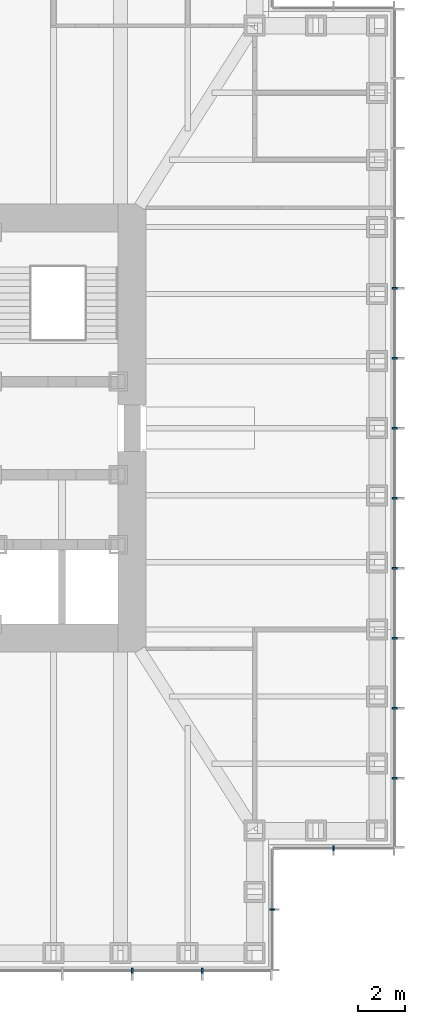
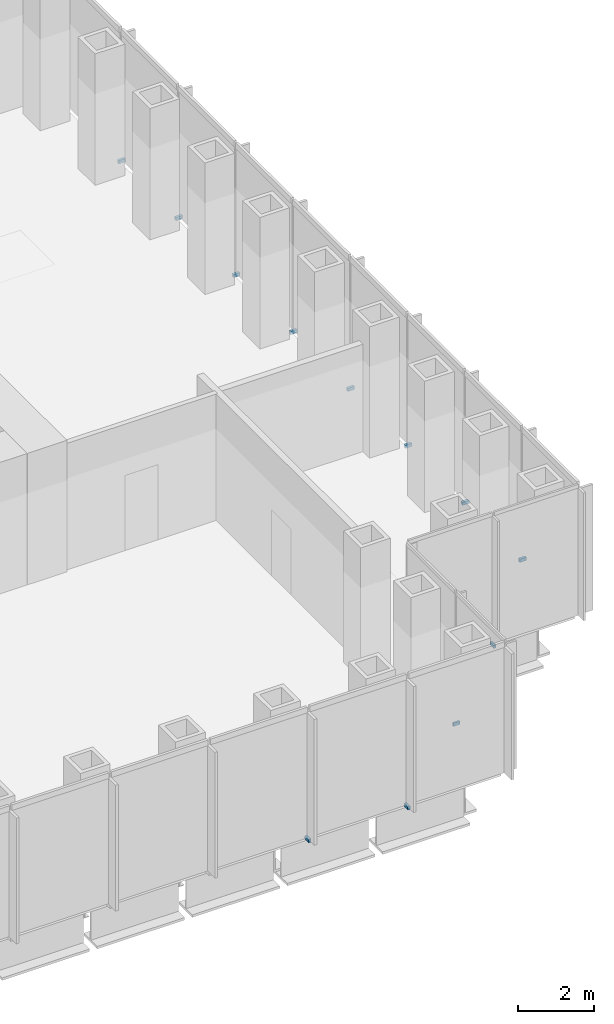
# One storey, part 13 of 16: 12 discrete accessories.
"""IFC4 building model written with IfcOpenShell, lengths in metres."""

from ifc_helpers import new_model, si_unit, direction, frame, origin, origin_2d, place, context, subcontext, project, spatial, rectangle, extrude, element, save


model = new_model("IFC4")

# Units and contexts
model_context = context("Model", 3, precision=1e-05, world=origin(), true_north=direction((0.0, 1.0)))
body_context = subcontext(model_context, "Body", "Model", "MODEL_VIEW")
ifc_project = project(units=[si_unit("LENGTHUNIT", "METRE"), si_unit("AREAUNIT", "SQUARE_METRE"), si_unit("VOLUMEUNIT", "CUBIC_METRE"), si_unit("PLANEANGLEUNIT", "RADIAN"), si_unit("MASSUNIT", "GRAM", prefix="KILO")], contexts=[model_context])

# Site, building, storey
site_placement = place(None, origin())
site = spatial("IfcSite", under=ifc_project, at=site_placement, CompositionType="ELEMENT")
building_placement = place(site_placement, origin())
building = spatial("IfcBuilding", under=site, at=building_placement, Name="Daluyong Arena Tower", CompositionType="ELEMENT")
storey_placement = place(building_placement, frame((0.0, 0.0, 162.699951171875)))
storey = spatial("IfcBuildingStorey", under=building, at=storey_placement, Name="L36", CompositionType="ELEMENT", Elevation=162.699951171875)

# Discrete accessories
for number, where, z_axis, x_axis, name in (
    (1, (68.0, 56.75, -0.10009765625), (0.0, 0.0, 1.0), (1.0, 0.0, 0.0), "curtain wall L36 S anchor bracket 11"),
    (2, (71.0, 56.75, -0.10009765625), (0.0, 0.0, 1.0), (1.0, 0.0, 0.0), "curtain wall L36 S anchor bracket 12"),
):
    element("IfcDiscreteAccessory", number, at=place(storey_placement, frame(where, z_axis=z_axis, x_axis=x_axis)), inside=storey, Name=name, PredefinedType="BRACKET", context=body_context, shape_type="SweptSolid", body=[
        extrude(rectangle(XDim=0.080078125, YDim=0.199951171875, at=origin_2d()), origin(), (0.0, 0.0, 1.0), 0.10009765625),
    ])
for number, where, z_axis, x_axis, name in (
    (3, (74.0, 59.375, -0.10009765625), (0.0, 0.0, 1.0), (0.0, 1.0, 0.0), "curtain wall L36 SE-E anchor bracket 2"),
    (4, (76.625, 62.0, -0.10009765625), (0.0, 0.0, 1.0), (1.0, 0.0, 0.0), "curtain wall L36 SE-S anchor bracket 2"),
):
    element("IfcDiscreteAccessory", number, at=place(storey_placement, frame(where, z_axis=z_axis, x_axis=x_axis)), inside=storey, Name=name, PredefinedType="BRACKET", context=body_context, shape_type="SweptSolid", body=[
        extrude(rectangle(XDim=0.06005859375, YDim=0.199951171875, at=origin_2d()), origin(), (0.0, 0.0, 1.0), 0.10009765625),
    ])
for number, where, z_axis, x_axis, name in (
    (5, (79.25, 65.0, -0.10009765625), (0.0, 0.0, 1.0), (0.0, 1.0, 0.0), "curtain wall L36 E anchor bracket 2"),
    (6, (79.25, 68.0, -0.10009765625), (0.0, 0.0, 1.0), (0.0, 1.0, 0.0), "curtain wall L36 E anchor bracket 3"),
    (7, (79.25, 71.0, -0.10009765625), (0.0, 0.0, 1.0), (0.0, 1.0, 0.0), "curtain wall L36 E anchor bracket 4"),
    (8, (79.25, 74.0, -0.10009765625), (0.0, 0.0, 1.0), (0.0, 1.0, 0.0), "curtain wall L36 E anchor bracket 5"),
    (9, (79.25, 77.0, -0.10009765625), (0.0, 0.0, 1.0), (0.0, 1.0, 0.0), "curtain wall L36 E anchor bracket 6"),
    (10, (79.25, 80.0, -0.10009765625), (0.0, 0.0, 1.0), (0.0, 1.0, 0.0), "curtain wall L36 E anchor bracket 7"),
    (11, (79.25, 83.0, -0.10009765625), (0.0, 0.0, 1.0), (0.0, 1.0, 0.0), "curtain wall L36 E anchor bracket 8"),
    (12, (79.25, 86.0, -0.10009765625), (0.0, 0.0, 1.0), (0.0, 1.0, 0.0), "curtain wall L36 E anchor bracket 9"),
):
    element("IfcDiscreteAccessory", number, at=place(storey_placement, frame(where, z_axis=z_axis, x_axis=x_axis)), inside=storey, Name=name, PredefinedType="BRACKET", context=body_context, shape_type="SweptSolid", body=[
        extrude(rectangle(XDim=0.080078125, YDim=0.199951171875, at=origin_2d()), origin(), (0.0, 0.0, 1.0), 0.10009765625),
    ])

save(model, "model.ifc")
